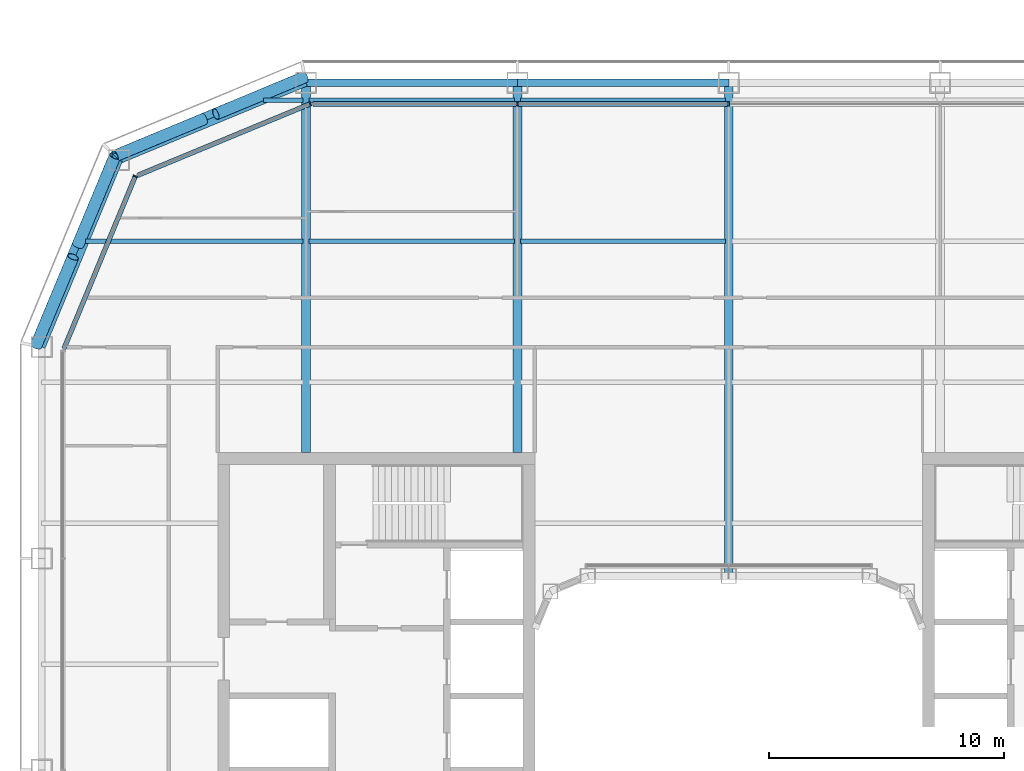
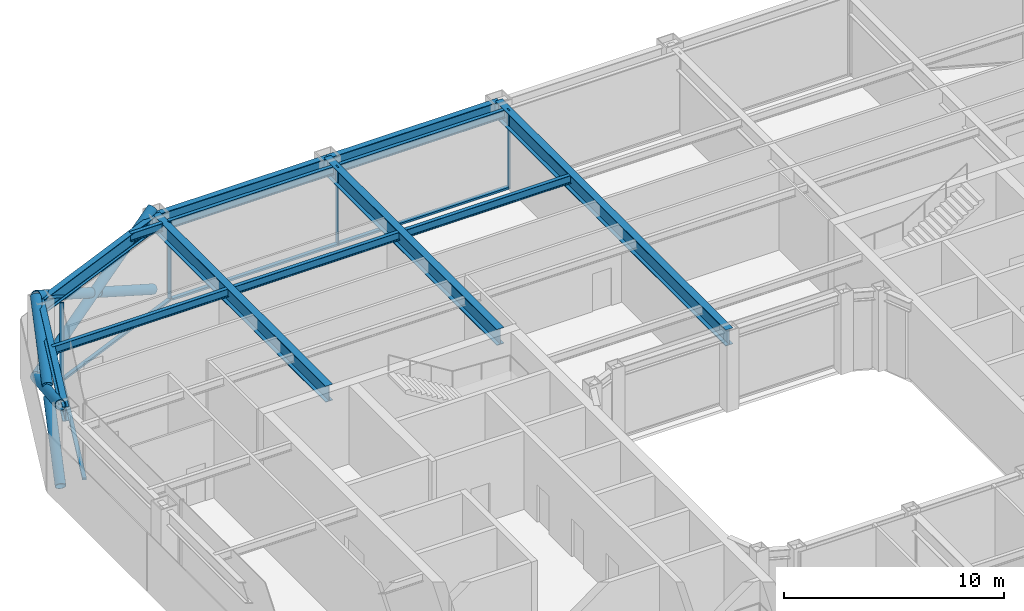
# One storey, part 7 of 23: 14 members, 13 beams, 3 elements without a shape of their own.
"""IFC4 building model written with IfcOpenShell, lengths in metres."""

from ifc_helpers import new_model, si_unit, direction, frame, origin, origin_2d, place, context, subcontext, project, spatial, rectangle, hollow_circle, i_section, extrude, material, layer, layer_set, material_profile, profile_set, type_object, element, aggregate, save


model = new_model("IFC4")

# Units and contexts
model_context = context("Model", 3, precision=1e-05, world=origin(), true_north=direction((0.0, 1.0)))
body_context = subcontext(model_context, "Body", "Model", "MODEL_VIEW")
ifc_project = project(units=[si_unit("LENGTHUNIT", "METRE"), si_unit("AREAUNIT", "SQUARE_METRE"), si_unit("VOLUMEUNIT", "CUBIC_METRE"), si_unit("PLANEANGLEUNIT", "RADIAN"), si_unit("MASSUNIT", "GRAM", prefix="KILO")], contexts=[model_context])

# Site, building, storey
site_placement = place(None, origin())
site = spatial("IfcSite", under=ifc_project, at=site_placement, CompositionType="ELEMENT")
building_placement = place(site_placement, origin())
building = spatial("IfcBuilding", under=site, at=building_placement, Name="Siwar Civic Tower", CompositionType="ELEMENT")
storey_placement = place(building_placement, frame((0.0, 0.0, 167.699951171875)))
storey = spatial("IfcBuildingStorey", under=building, at=storey_placement, Name="L36", CompositionType="ELEMENT", Elevation=167.699951171875)

# Curtain wall, members
ifc_material_1 = material(Name="Aluminium and glass", Category="aluminium")
ifc_layer_1 = layer(ifc_material_1, 0.199951171875)
ifc_layer_set_1 = layer_set([ifc_layer_1], Name="Aluminium and glass")
curtain_wall_type_1 = type_object("IfcCurtainWallType", Name="ENV-CW-B", PredefinedType="NOTDEFINED", material=ifc_layer_set_1)
curtain_wall_1_placement = place(storey_placement, origin())
curtain_wall_1 = element("IfcCurtainWall", 1, at=curtain_wall_1_placement, inside=storey, type_object=curtain_wall_type_1, Name="Curtain wall B N", PredefinedType="NOTDEFINED")
ifc_material_2 = material(Name="Aluminium 6063-T6", Category="aluminium")
ifc_material_profile_1 = material_profile(ifc_material_2, rectangle(XDim=0.199951171875, YDim=0.06494140625, at=origin_2d()), Name="AL 200x65")
ifc_profile_set_1 = profile_set([ifc_material_profile_1], Name="Aluminium 6063-T6")
member_type_1 = type_object("IfcMemberType", Name="ENV-MULLION-B", PredefinedType="MULLION", material=ifc_profile_set_1)
member_1_placement = place(storey_placement, frame((0.0, 28.35009765625, 0.0), z_axis=(0.0, 0.0, 1.0), x_axis=(0.0, -1.0, 0.0)))
member_1 = element("IfcMember", 2, at=member_1_placement, type_object=member_type_1, Name="Mullion B N 3", PredefinedType="MULLION", context=body_context, shape_type="SweptSolid", body=[
    extrude(rectangle(XDim=0.199951171875, YDim=0.06494140625, at=origin_2d()), origin(), (0.0, 0.0, 1.0), 4.35009765625),
])
member_2_placement = place(storey_placement, frame((-9.0, 28.35009765625, 0.0), z_axis=(0.0, 0.0, 1.0), x_axis=(0.0, -1.0, 0.0)))
member_2 = element("IfcMember", 3, at=member_2_placement, type_object=member_type_1, Name="Mullion B N 4", PredefinedType="MULLION", context=body_context, shape_type="SweptSolid", body=[
    extrude(rectangle(XDim=0.199951171875, YDim=0.06494140625, at=origin_2d()), origin(), (0.0, 0.0, 1.0), 4.35009765625),
])

# Curtain wall, member
ifc_material_3 = material(Name="Aluminium clad insulated panel", Category="aluminium")
ifc_layer_2 = layer(ifc_material_3, 0.199951171875)
ifc_layer_set_2 = layer_set([ifc_layer_2], Name="Aluminium clad insulated panel")
curtain_wall_type_2 = type_object("IfcCurtainWallType", Name="ENV-CW-BX", PredefinedType="NOTDEFINED", material=ifc_layer_set_2)
curtain_wall_2_placement = place(storey_placement, origin())
curtain_wall_2 = element("IfcCurtainWall", 4, at=curtain_wall_2_placement, inside=storey, type_object=curtain_wall_type_2, Name="Curtain wall B NW1", PredefinedType="NOTDEFINED")
member_3_placement = place(storey_placement, frame((-17.821044921875, 28.35009765625, 0.0), z_axis=(0.0, 0.0, 1.0), x_axis=(0.382683432365, -0.923879532511, 0.0)))
member_3 = element("IfcMember", 5, at=member_3_placement, type_object=member_type_1, Name="Mullion B NW1 1", PredefinedType="MULLION", context=body_context, shape_type="SweptSolid", body=[
    extrude(rectangle(XDim=0.199951171875, YDim=0.06494140625, at=origin_2d()), origin(), (0.0, 0.0, 1.0), 4.35009765625),
])

curtain_wall_3_placement = place(storey_placement, origin())
curtain_wall_3 = element("IfcCurtainWall", 6, at=curtain_wall_3_placement, inside=storey, type_object=curtain_wall_type_2, Name="Curtain wall B NW2", PredefinedType="NOTDEFINED")
member_4_placement = place(storey_placement, frame((-25.26611328125, 25.26611328125, 0.0), z_axis=(0.0, 0.0, 1.0), x_axis=(0.923879532511, -0.382683432365, 0.0)))
member_4 = element("IfcMember", 7, at=member_4_placement, type_object=member_type_1, Name="Mullion B NW2 1", PredefinedType="MULLION", context=body_context, shape_type="SweptSolid", body=[
    extrude(rectangle(XDim=0.199951171875, YDim=0.06494140625, at=origin_2d()), origin(), (0.0, 0.0, 1.0), 4.35009765625),
])

# Member
ifc_material_4 = material(Name="Aluminium 6063-T6", Category="aluminium")
ifc_material_profile_2 = material_profile(ifc_material_4, rectangle(XDim=0.199951171875, YDim=0.110107421875, at=origin_2d()), Name="AL 200x110")
ifc_profile_set_2 = profile_set([ifc_material_profile_2], Name="Aluminium 6063-T6")
member_type_2 = type_object("IfcMemberType", Name="ENV-TRANSOM-B", PredefinedType="USERDEFINED", material=ifc_profile_set_2)
member_5_placement = place(storey_placement, frame((-0.032470703125, 28.35009765625, 0.054931640625), z_axis=(-1.0, 0.0, 0.0), x_axis=(0.0, -1.0, 0.0)))
member_5 = element("IfcMember", 8, at=member_5_placement, type_object=member_type_2, Name="Transom B N 3", ObjectType="TRANSOM", PredefinedType="USERDEFINED", context=body_context, shape_type="SweptSolid", body=[
    extrude(rectangle(XDim=0.199951171875, YDim=0.110107421875, at=origin_2d()), origin(), (0.0, 0.0, 1.0), 8.93505859375),
])

member_6_placement = place(storey_placement, frame((-9.032470703125, 28.35009765625, 0.054931640625), z_axis=(-1.0, 0.0, 0.0), x_axis=(0.0, -1.0, 0.0)))
member_6 = element("IfcMember", 9, at=member_6_placement, type_object=member_type_2, Name="Transom B N 4", ObjectType="TRANSOM", PredefinedType="USERDEFINED", context=body_context, shape_type="SweptSolid", body=[
    extrude(rectangle(XDim=0.199951171875, YDim=0.110107421875, at=origin_2d()), origin(), (0.0, 0.0, 1.0), 8.6748046875),
])

aggregate(curtain_wall_1, [member_1, member_2, member_5, member_6])

member_7_placement = place(storey_placement, frame((-17.85107421875, 28.337646484375, 0.054931640625), z_axis=(-0.92387279587, -0.382699695651, 0.0), x_axis=(0.382699695651, -0.92387279587, 0.0)))
member_7 = element("IfcMember", 10, at=member_7_placement, type_object=member_type_2, Name="Transom B NW1 1", ObjectType="TRANSOM", PredefinedType="USERDEFINED", context=body_context, shape_type="SweptSolid", body=[
    extrude(rectangle(XDim=0.199951171875, YDim=0.110107421875, at=origin_2d()), origin(), (0.0, 0.0, 1.0), 7.912353515625),
])

aggregate(curtain_wall_2, [member_3, member_7])

member_8_placement = place(storey_placement, frame((-25.278564453125, 25.236083984375, 0.054931640625), z_axis=(-0.382673358825, -0.923883705044, 0.0), x_axis=(0.923883705044, -0.382673358825, 0.0)))
member_8 = element("IfcMember", 11, at=member_8_placement, type_object=member_type_2, Name="Transom B NW2 1", ObjectType="TRANSOM", PredefinedType="USERDEFINED", context=body_context, shape_type="SweptSolid", body=[
    extrude(rectangle(XDim=0.199951171875, YDim=0.110107421875, at=origin_2d()), origin(), (0.0, 0.0, 1.0), 7.912353515625),
])

aggregate(curtain_wall_3, [member_4, member_8])

# Members
ifc_material_5 = material(Name="Steel S355", Category="steel")
ifc_material_profile_3 = material_profile(ifc_material_5, hollow_circle(Radius=0.25390625, WallThickness=0.02490234375, at=origin_2d()), Name="CHS508x25")
ifc_profile_set_3 = profile_set([ifc_material_profile_3], Name="Steel S355")
member_type_3 = type_object("IfcMemberType", Name="STR-BR-CHS508x25", PredefinedType="BRACE", material=ifc_profile_set_3)
member_9_placement = place(storey_placement, frame((-26.1318359375, 26.1318359375, 0.0), z_axis=(-0.341671493852, -0.821142553604, 0.457149315816), x_axis=(0.923264922524, -0.384163874976, 0.0)))
element("IfcMember", 12, at=member_9_placement, inside=storey, type_object=member_type_3, Name="L36/brc/BNW1-15-0-1", PredefinedType="BRACE", context=body_context, shape_type="SweptSolid", body=[
    extrude(hollow_circle(Radius=0.25390625, WallThickness=0.02490234375, at=origin_2d()), origin(), (0.0, 0.0, 1.0), 9.843505859375),
])
for number, where, z_axis, x_axis, name in (
    (13, (-29.4951171875, 18.048828125, 0.0), (0.341677318012, 0.821126041429, 0.457174621391), (-0.923259859753, 0.384176042158, 0.0), "L36/brc/BNW1-15-0-2"),
    (14, (-27.70849609375, 22.342529296875, 2.390625), (0.341670737976, 0.821163134736, 0.457112910516), (-0.923268638995, 0.384154943021, 0.0), "L36/brc/BNW1-15-0-3"),
):
    element("IfcMember", number, at=place(storey_placement, frame(where, z_axis=z_axis, x_axis=x_axis)), inside=storey, type_object=member_type_3, Name=name, PredefinedType="BRACE", context=body_context, shape_type="SweptSolid", body=[
        extrude(hollow_circle(Radius=0.25390625, WallThickness=0.02490234375, at=origin_2d()), origin(), (0.0, 0.0, 1.0), 4.614501953125),
    ])
member_10_placement = place(storey_placement, frame((-26.1318359375, 26.1318359375, 0.0), z_axis=(0.821142553604, 0.341671493852, 0.457149315816), x_axis=(-0.384163874976, 0.923264922524, 0.0)))
element("IfcMember", 15, at=member_10_placement, inside=storey, type_object=member_type_3, Name="L36/brc/BNW1-15-0-0", PredefinedType="BRACE", context=body_context, shape_type="SweptSolid", body=[
    extrude(hollow_circle(Radius=0.25390625, WallThickness=0.02490234375, at=origin_2d()), origin(), (0.0, 0.0, 1.0), 9.843505859375),
])
for number, where, z_axis, x_axis, name in (
    (16, (-18.048828125, 29.4951171875, 0.0), (-0.821126041429, -0.341677318012, 0.457174621391), (0.384176042158, -0.923259859753, 0.0), "L36/brc/BNW1-15-0-4"),
    (17, (-22.342529296875, 27.70849609375, 2.390625), (-0.821163134736, -0.341670737976, 0.457112910516), (0.384154943021, -0.923268638995, 0.0), "L36/brc/BNW1-15-0-5"),
):
    element("IfcMember", number, at=place(storey_placement, frame(where, z_axis=z_axis, x_axis=x_axis)), inside=storey, type_object=member_type_3, Name=name, PredefinedType="BRACE", context=body_context, shape_type="SweptSolid", body=[
        extrude(hollow_circle(Radius=0.25390625, WallThickness=0.02490234375, at=origin_2d()), origin(), (0.0, 0.0, 1.0), 4.614501953125),
    ])

# Beams
ifc_material_6 = material(Name="Steel S355", Category="steel")
ifc_material_profile_4 = material_profile(ifc_material_6, i_section(OverallWidth=0.18994140625, OverallDepth=0.449951171875, WebThickness=0.009521484375, FlangeThickness=0.0146484375, FilletRadius=0.02099609375, at=origin_2d()), Name="IPE450")
ifc_profile_set_4 = profile_set([ifc_material_profile_4], Name="Steel S355")
beam_type_1 = type_object("IfcBeamType", Name="STR-FB-IPE450", PredefinedType="JOIST", material=ifc_profile_set_4)
beam_1_placement = place(storey_placement, frame((-27.385986328125, 22.5, 4.125), z_axis=(1.0, 0.0, 0.0), x_axis=(0.0, 1.0, 0.0)))
element("IfcBeam", 18, at=beam_1_placement, inside=storey, type_object=beam_type_1, Name="L36/bm/F037", PredefinedType="JOIST", context=body_context, shape_type="SweptSolid", body=[
    extrude(i_section(OverallWidth=0.18994140625, OverallDepth=0.449951171875, WebThickness=0.009521484375, FlangeThickness=0.0146484375, FilletRadius=0.02099609375, at=origin_2d()), origin(), (0.0, 0.0, 1.0), 9.256103515625),
])
for number, where, z_axis, x_axis, name in (
    (19, (-17.8701171875, 22.5, 4.125), (1.0, 0.0, 0.0), (0.0, 1.0, 0.0), "L36/bm/F038"),
    (20, (-8.8701171875, 22.5, 4.125), (1.0, 0.0, 0.0), (0.0, 1.0, 0.0), "L36/bm/F039"),
):
    element("IfcBeam", number, at=place(storey_placement, frame(where, z_axis=z_axis, x_axis=x_axis)), inside=storey, type_object=beam_type_1, Name=name, PredefinedType="JOIST", context=body_context, shape_type="SweptSolid", body=[
        extrude(i_section(OverallWidth=0.18994140625, OverallDepth=0.449951171875, WebThickness=0.009521484375, FlangeThickness=0.0146484375, FilletRadius=0.02099609375, at=origin_2d()), origin(), (0.0, 0.0, 1.0), 8.740234375),
    ])
beam_2_placement = place(storey_placement, frame((-19.810546875, 28.5, 4.125), z_axis=(1.0, 0.0, 0.0), x_axis=(0.0, 1.0, 0.0)))
element("IfcBeam", 21, at=beam_2_placement, inside=storey, type_object=beam_type_1, Name="L36/bm/F043", PredefinedType="JOIST", context=body_context, shape_type="SweptSolid", body=[
    extrude(i_section(OverallWidth=0.18994140625, OverallDepth=0.449951171875, WebThickness=0.009521484375, FlangeThickness=0.0146484375, FilletRadius=0.02099609375, at=origin_2d()), origin(), (0.0, 0.0, 1.0), 1.6806640625),
])
for number, where, z_axis, x_axis, name in (
    (22, (-17.8701171875, 28.5, 4.125), (1.0, 0.0, 0.0), (0.0, 1.0, 0.0), "L36/bm/F044"),
    (23, (-8.8701171875, 28.5, 4.125), (1.0, 0.0, 0.0), (0.0, 1.0, 0.0), "L36/bm/F045"),
):
    element("IfcBeam", number, at=place(storey_placement, frame(where, z_axis=z_axis, x_axis=x_axis)), inside=storey, type_object=beam_type_1, Name=name, PredefinedType="JOIST", context=body_context, shape_type="SweptSolid", body=[
        extrude(i_section(OverallWidth=0.18994140625, OverallDepth=0.449951171875, WebThickness=0.009521484375, FlangeThickness=0.0146484375, FilletRadius=0.02099609375, at=origin_2d()), origin(), (0.0, 0.0, 1.0), 8.740234375),
    ])
ifc_material_7 = material(Name="Steel S355", Category="steel")
ifc_material_profile_5 = material_profile(ifc_material_7, i_section(OverallWidth=0.3798828125, OverallDepth=0.89990234375, WebThickness=0.01611328125, FlangeThickness=0.035888671875, at=origin_2d()), Name="PG900x380x16x36")
ifc_profile_set_5 = profile_set([ifc_material_profile_5], Name="Steel S355")
beam_type_2 = type_object("IfcBeamType", Name="STR-PG-PG900x380x16x36", PredefinedType="BEAM", material=ifc_profile_set_5)
for number, where, z_axis, x_axis, name in (
    (24, (-18.0, 13.5, 3.900146484375), (0.0, 1.0, 0.0), (-1.0, 0.0, 0.0), "L36/bm/G02"),
    (25, (-9.0, 13.5, 3.900146484375), (0.0, 1.0, 0.0), (-1.0, 0.0, 0.0), "L36/bm/G04"),
):
    element("IfcBeam", number, at=place(storey_placement, frame(where, z_axis=z_axis, x_axis=x_axis)), inside=storey, type_object=beam_type_2, Name=name, PredefinedType="BEAM", context=body_context, shape_type="SweptSolid", body=[
        extrude(i_section(OverallWidth=0.3798828125, OverallDepth=0.89990234375, WebThickness=0.01611328125, FlangeThickness=0.035888671875, at=origin_2d()), origin(), (0.0, 0.0, 1.0), 15.75),
    ])
beam_3_placement = place(storey_placement, frame((0.0, 8.25, 3.900146484375), z_axis=(0.0, 1.0, 0.0), x_axis=(-1.0, 0.0, 0.0)))
element("IfcBeam", 26, at=beam_3_placement, inside=storey, type_object=beam_type_2, Name="L36/bm/G06", PredefinedType="BEAM", context=body_context, shape_type="SweptSolid", body=[
    extrude(i_section(OverallWidth=0.3798828125, OverallDepth=0.89990234375, WebThickness=0.01611328125, FlangeThickness=0.035888671875, at=origin_2d()), origin(), (0.0, 0.0, 1.0), 21.0),
])
ifc_material_8 = material(Name="Steel S355", Category="steel")
ifc_material_profile_6 = material_profile(ifc_material_8, i_section(OverallWidth=0.300048828125, OverallDepth=0.800048828125, WebThickness=0.017578125, FlangeThickness=0.032958984375, FilletRadius=0.030029296875, at=origin_2d()), Name="HEB800")
ifc_profile_set_6 = profile_set([ifc_material_profile_6], Name="Steel S355")
beam_type_3 = type_object("IfcBeamType", Name="STR-SB-HEB800", PredefinedType="BEAM", material=ifc_profile_set_6)
for number, where, z_axis, x_axis, name in (
    (27, (0.0, 29.25, 3.949951171875), (-1.0, 0.0, 0.0), (0.0, -1.0, 0.0), "L36/bm/SN-2"),
    (28, (-9.0, 29.25, 3.949951171875), (-1.0, 0.0, 0.0), (0.0, -1.0, 0.0), "L36/bm/SN-3"),
):
    element("IfcBeam", number, at=place(storey_placement, frame(where, z_axis=z_axis, x_axis=x_axis)), inside=storey, type_object=beam_type_3, Name=name, PredefinedType="BEAM", context=body_context, shape_type="SweptSolid", body=[
        extrude(i_section(OverallWidth=0.300048828125, OverallDepth=0.800048828125, WebThickness=0.017578125, FlangeThickness=0.032958984375, FilletRadius=0.030029296875, at=origin_2d()), origin(), (0.0, 0.0, 1.0), 9.0),
    ])
for number, where, z_axis, x_axis, name in (
    (29, (-18.0, 29.25, 3.949951171875), (-0.923872720536, -0.382699877515, 0.0), (0.382699877515, -0.923872720536, 0.0), "L36/bm/SNW1-0"),
    (30, (-25.954833984375, 25.954833984375, 3.949951171875), (-0.382699877515, -0.923872720536, 0.0), (0.923872720536, -0.382699877515, 0.0), "L36/bm/SNW2-0"),
):
    element("IfcBeam", number, at=place(storey_placement, frame(where, z_axis=z_axis, x_axis=x_axis)), inside=storey, type_object=beam_type_3, Name=name, PredefinedType="BEAM", context=body_context, shape_type="SweptSolid", body=[
        extrude(i_section(OverallWidth=0.300048828125, OverallDepth=0.800048828125, WebThickness=0.017578125, FlangeThickness=0.032958984375, FilletRadius=0.030029296875, at=origin_2d()), origin(), (0.0, 0.0, 1.0), 8.6103515625),
    ])

save(model, "model.ifc")
